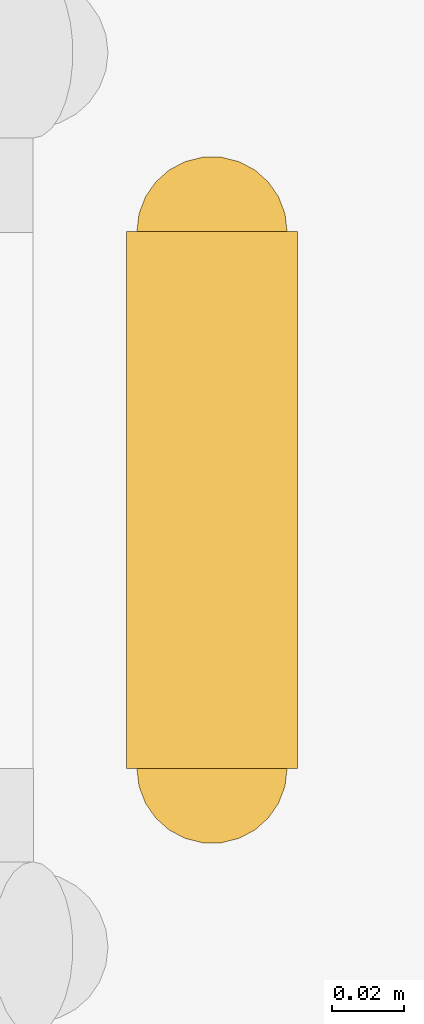
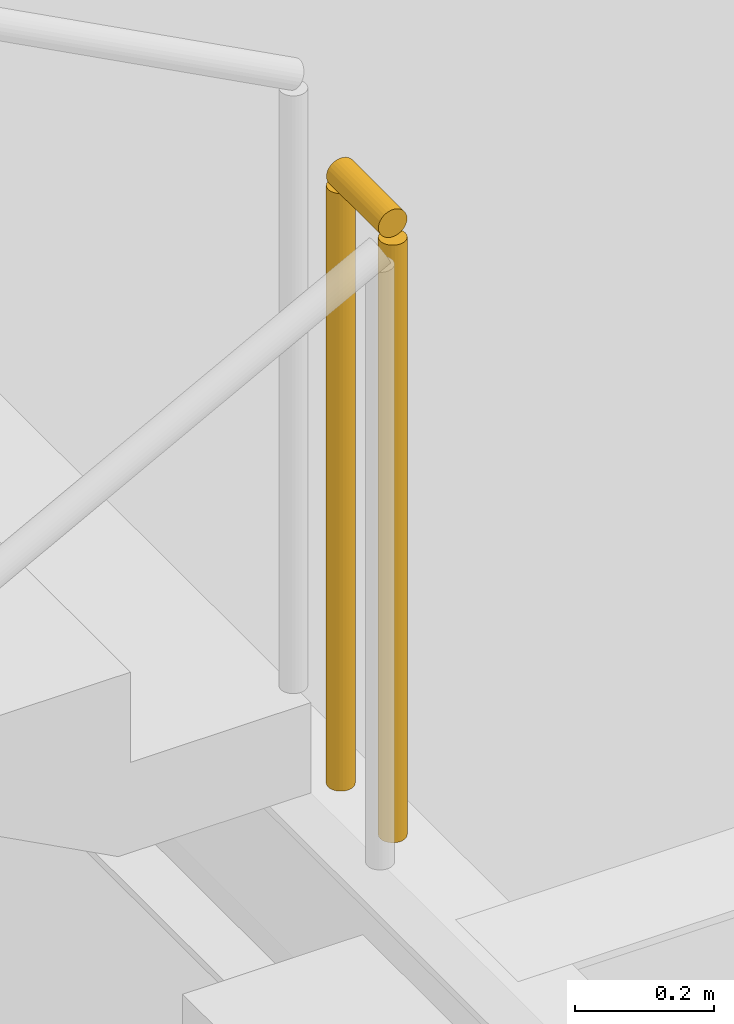
# One storey, part 88 of 89: 1 railing.
"""IFC4 building model written with IfcOpenShell, lengths in metres."""

from ifc_helpers import new_model, si_unit, direction, frame, origin, origin_2d, place, context, subcontext, project, spatial, circle, extrude, material, type_object, element, save


model = new_model("IFC4")

# Units and contexts
model_context = context("Model", 3, precision=1e-05, world=origin(), true_north=direction((0.0, 1.0)))
body_context = subcontext(model_context, "Body", "Model", "MODEL_VIEW")
ifc_project = project(units=[si_unit("LENGTHUNIT", "METRE"), si_unit("AREAUNIT", "SQUARE_METRE"), si_unit("VOLUMEUNIT", "CUBIC_METRE"), si_unit("PLANEANGLEUNIT", "RADIAN"), si_unit("MASSUNIT", "GRAM", prefix="KILO")], contexts=[model_context])

# Site, building, storey
site_placement = place(None, origin())
site = spatial("IfcSite", under=ifc_project, at=site_placement, CompositionType="ELEMENT")
building_placement = place(site_placement, origin())
building = spatial("IfcBuilding", under=site, at=building_placement, Name="Koshinbarg Plaza Stadium", CompositionType="ELEMENT")
storey_placement = place(building_placement, origin())
storey = spatial("IfcBuildingStorey", under=building, at=storey_placement, Name="L00", CompositionType="ELEMENT", Elevation=0.0)

# Railing
ifc_material = material(Name="Galvanized painted steel guardrail", Category="steel")
railing_type = type_object("IfcRailingType", Name="RL-GUARD-1100", PredefinedType="GUARDRAIL", material=ifc_material)
railing_placement = place(storey_placement, frame((180.2099609375, 139.360107421875, 2.699951171875)))
element("IfcRailing", 1, at=railing_placement, inside=storey, type_object=railing_type, Name="L00 C12 stair guard 2", PredefinedType="GUARDRAIL", context=body_context, shape_type="SweptSolid", body=[
    extrude(circle(Radius=0.02392578125, at=origin_2d()), frame((0.0, 0.0, 1.076171875), z_axis=(0.0, 1.0, 0.0), x_axis=(-1.0, 0.0, 0.0)), (0.0, 0.0, 1.0), 0.14990234375),
    extrude(circle(Radius=0.02099609375, at=origin_2d()), origin(), (0.0, 0.0, 1.0), 1.052001953125),
    extrude(circle(Radius=0.02099609375, at=origin_2d()), frame((0.0, 0.14990234375, 0.0)), (0.0, 0.0, 1.0), 1.052001953125),
])

save(model, "model.ifc")
